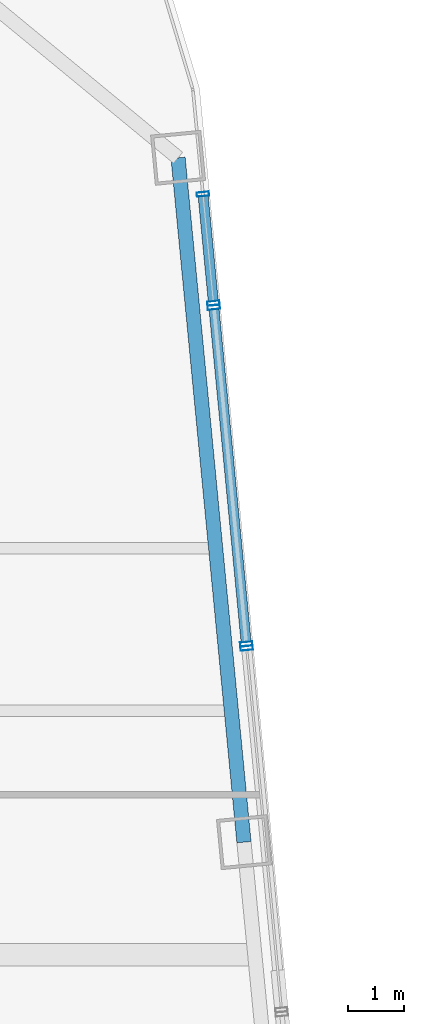
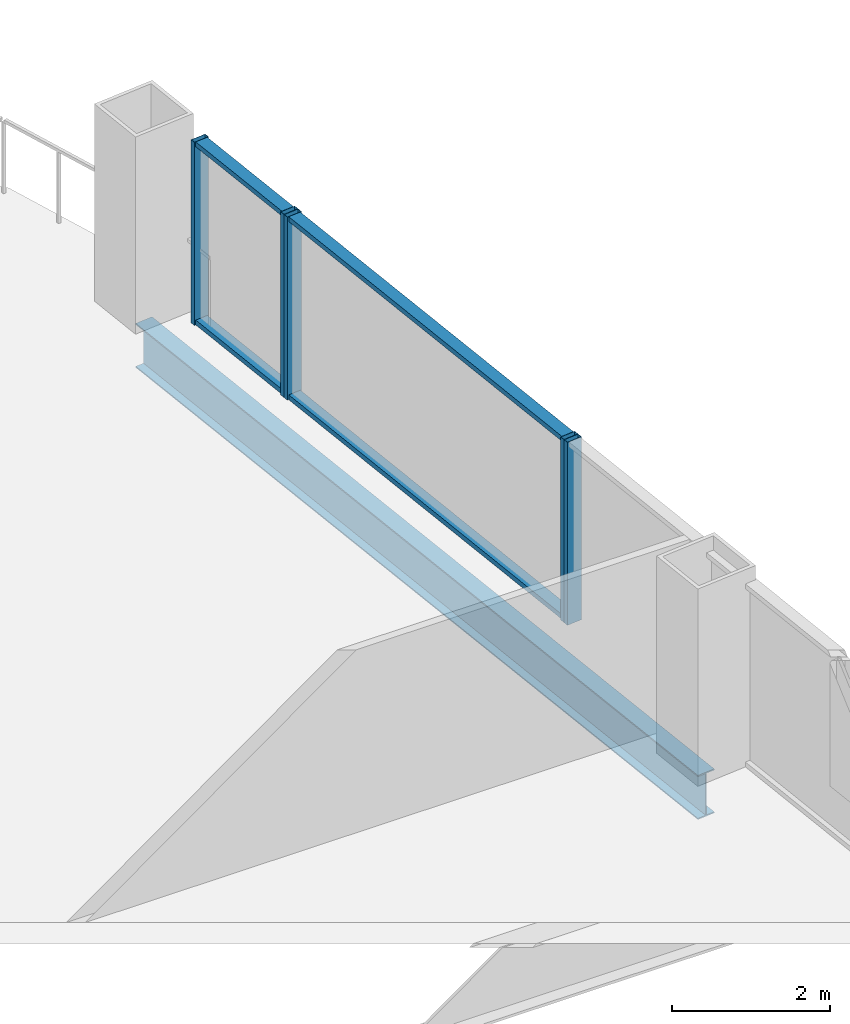
# One storey, part 20 of 28: 9 members, 1 beam, 3 elements without a shape of their own.
"""IFC4 building model written with IfcOpenShell, lengths in metres."""

from ifc_helpers import new_model, si_unit, direction, frame, origin, origin_2d, place, context, subcontext, project, spatial, hollow_rectangle, i_section, extrude, material, layer, layer_set, material_profile, profile_set, type_object, element, aggregate, save


model = new_model("IFC4")

# Units and contexts
model_context = context("Model", 3, precision=1e-05, world=origin(), true_north=direction((0.0, 1.0)))
body_context = subcontext(model_context, "Body", "Model", "MODEL_VIEW")
ifc_project = project(units=[si_unit("LENGTHUNIT", "METRE"), si_unit("AREAUNIT", "SQUARE_METRE"), si_unit("VOLUMEUNIT", "CUBIC_METRE"), si_unit("PLANEANGLEUNIT", "RADIAN"), si_unit("MASSUNIT", "GRAM", prefix="KILO")], contexts=[model_context])

# Site, building, storey
site_placement = place(None, origin())
site = spatial("IfcSite", under=ifc_project, at=site_placement, CompositionType="ELEMENT")
building_placement = place(site_placement, origin())
building = spatial("IfcBuilding", under=site, at=building_placement, Name="Qhalaya Broadcast Tower", CompositionType="ELEMENT")
storey_placement = place(building_placement, frame((0.0, 0.0, 90.800048828125)))
storey = spatial("IfcBuildingStorey", under=building, at=storey_placement, Name="L26", CompositionType="ELEMENT", Elevation=90.800048828125)

# Beam
ifc_material_1 = material(Name="Structural Steel ASTM A992 Grade 50", Category="steel")
ifc_material_profile_1 = material_profile(ifc_material_1, i_section(OverallWidth=0.25390625, OverallDepth=0.68310546875, WebThickness=0.012451171875, FlangeThickness=0.01904296875, at=origin_2d()), Name="W27X94")
ifc_profile_set_1 = profile_set([ifc_material_profile_1], Name="Structural Steel ASTM A992 Grade 50")
beam_type = type_object("IfcBeamType", Name="Perimeter Ring Spandrel Beam SP1", PredefinedType="SPANDREL", material=ifc_profile_set_1)
beam_placement = place(storey_placement, frame((26.941162109375, 11.955078125, -0.5615234375), z_axis=(-0.095851586307, 0.99539563662, 0.0), x_axis=(-0.99539563662, -0.095851586307, 0.0)))
element("IfcBeam", 1, at=beam_placement, inside=storey, type_object=beam_type, Name="L26 SP1 L26-SPR-07", PredefinedType="SPANDREL", context=body_context, shape_type="SweptSolid", body=[
    extrude(i_section(OverallWidth=0.25390625, OverallDepth=0.68310546875, WebThickness=0.012451171875, FlangeThickness=0.01904296875, at=origin_2d()), origin(), (0.0, 0.0, 1.0), 12.2666015625),
])

# Curtain wall, member
ifc_material_2 = material(Name="Solar-Control Low-E Triple Glazing", Category="glass")
ifc_layer_1 = layer(ifc_material_2, 0.219970703125, Name="Solar-Control Low-E Triple Glazing")
ifc_layer_set_1 = layer_set([ifc_layer_1], Name="Solar-Control Low-E Triple Glazing")
curtain_wall_type_1 = type_object("IfcCurtainWallType", Name="Even-Block 4-Storey Double-Module Curtain Wall CW-03", PredefinedType="NOTDEFINED", material=ifc_layer_set_1)
curtain_wall_1_placement = place(storey_placement, origin())
curtain_wall_1 = element("IfcCurtainWall", 2, at=curtain_wall_1_placement, inside=storey, type_object=curtain_wall_type_1, Name="L26 Unitised Curtain Wall L26-CW-E5", PredefinedType="NOTDEFINED")
ifc_material_3 = material(Name="Anodised Aluminium 6063-T6", Category="aluminium")
ifc_material_profile_2 = material_profile(ifc_material_3, hollow_rectangle(XDim=0.074951171875, YDim=0.219970703125, WallThickness=0.00390625, at=origin_2d()), Name="ALU-MUL 75x220x4")
ifc_profile_set_2 = profile_set([ifc_material_profile_2], Name="Anodised Aluminium 6063-T6")
member_type_1 = type_object("IfcMemberType", Name="Unitised Curtain-Wall Mullion M01", PredefinedType="MULLION", material=ifc_profile_set_2)
member_1_placement = place(storey_placement, frame((26.989501953125, 15.416748046875, 0.0), z_axis=(0.0, 0.0, 1.0), x_axis=(-0.095852453314, 0.995395553131, 0.0)))
member_1 = element("IfcMember", 3, at=member_1_placement, type_object=member_type_1, Name="CW-03 mullion 2", PredefinedType="MULLION", context=body_context, shape_type="SweptSolid", body=[
    extrude(hollow_rectangle(XDim=0.074951171875, YDim=0.219970703125, WallThickness=0.00390625, at=origin_2d()), origin(), (0.0, 0.0, 1.0), 2.829833984375),
])
aggregate(curtain_wall_1, [member_1])

# Curtain wall, members
ifc_material_4 = material(Name="Fired Architectural Terracotta", Category="masonry")
ifc_layer_2 = layer(ifc_material_4, 0.219970703125, Name="Fired Architectural Terracotta")
ifc_layer_set_2 = layer_set([ifc_layer_2], Name="Fired Architectural Terracotta")
curtain_wall_type_2 = type_object("IfcCurtainWallType", Name="Block-Cap Unitised Terracotta Spandrel Wall CW-07", PredefinedType="NOTDEFINED", material=ifc_layer_set_2)
curtain_wall_2_placement = place(storey_placement, origin())
curtain_wall_2 = element("IfcCurtainWall", 4, at=curtain_wall_2_placement, inside=storey, type_object=curtain_wall_type_2, Name="L26 Unitised Curtain Wall L26-CW-E6", PredefinedType="NOTDEFINED")
member_2_placement = place(storey_placement, frame((26.982421875, 15.4912109375, 0.0), z_axis=(0.0, 0.0, 1.0), x_axis=(-0.095841848125, 0.99539657431, 0.0)))
member_2 = element("IfcMember", 5, at=member_2_placement, type_object=member_type_1, Name="CW-07 mullion 1", PredefinedType="MULLION", context=body_context, shape_type="SweptSolid", body=[
    extrude(hollow_rectangle(XDim=0.074951171875, YDim=0.219970703125, WallThickness=0.00390625, at=origin_2d()), origin(), (0.0, 0.0, 1.0), 2.829833984375),
])
member_3_placement = place(storey_placement, frame((26.404052734375, 21.49755859375, 0.0), z_axis=(0.0, 0.0, 1.0), x_axis=(-0.095841848125, 0.99539657431, 0.0)))
member_3 = element("IfcMember", 6, at=member_3_placement, type_object=member_type_1, Name="CW-07 mullion 2", PredefinedType="MULLION", context=body_context, shape_type="SweptSolid", body=[
    extrude(hollow_rectangle(XDim=0.074951171875, YDim=0.219970703125, WallThickness=0.00390625, at=origin_2d()), origin(), (0.0, 0.0, 1.0), 2.829833984375),
])

curtain_wall_3_placement = place(storey_placement, origin())
curtain_wall_3 = element("IfcCurtainWall", 7, at=curtain_wall_3_placement, inside=storey, type_object=curtain_wall_type_1, Name="L26 Unitised Curtain Wall L26-CW-E7", PredefinedType="NOTDEFINED")
member_4_placement = place(storey_placement, frame((26.39697265625, 21.572265625, 0.0), z_axis=(0.0, 0.0, 1.0), x_axis=(-0.095857964978, 0.995395022366, 0.0)))
member_4 = element("IfcMember", 8, at=member_4_placement, type_object=member_type_1, Name="CW-03 mullion 1", PredefinedType="MULLION", context=body_context, shape_type="SweptSolid", body=[
    extrude(hollow_rectangle(XDim=0.074951171875, YDim=0.219970703125, WallThickness=0.00390625, at=origin_2d()), origin(), (0.0, 0.0, 1.0), 2.829833984375),
])
member_5_placement = place(storey_placement, frame((26.20947265625, 23.517333984375, 0.0), z_axis=(0.0, 0.0, 1.0), x_axis=(-0.095857964978, 0.995395022366, 0.0)))
member_5 = element("IfcMember", 9, at=member_5_placement, type_object=member_type_1, Name="CW-03 mullion 2", PredefinedType="MULLION", context=body_context, shape_type="SweptSolid", body=[
    extrude(hollow_rectangle(XDim=0.074951171875, YDim=0.219970703125, WallThickness=0.00390625, at=origin_2d()), origin(), (0.0, 0.0, 1.0), 2.829833984375),
])

# Member
ifc_material_profile_3 = material_profile(ifc_material_3, hollow_rectangle(XDim=0.074951171875, YDim=0.179931640625, WallThickness=0.00390625, at=origin_2d()), Name="ALU-TRN 75x180x4")
ifc_profile_set_3 = profile_set([ifc_material_profile_3], Name="Anodised Aluminium 6063-T6")
member_type_2 = type_object("IfcMemberType", Name="Unitised Curtain-Wall Transom T01", PredefinedType="USERDEFINED", material=ifc_profile_set_3)
member_6_placement = place(storey_placement, frame((26.978759765625, 15.528564453125, 0.037353515625), z_axis=(-0.095827943634, 0.995397913007, 0.0), x_axis=(0.0, 0.0, 1.0)))
member_6 = element("IfcMember", 10, at=member_6_placement, type_object=member_type_2, Name="CW-07 transom 1.1", ObjectType="TRANSOM", PredefinedType="USERDEFINED", context=body_context, shape_type="SweptSolid", body=[
    extrude(hollow_rectangle(XDim=0.074951171875, YDim=0.179931640625, WallThickness=0.00390625, at=origin_2d()), origin(), (0.0, 0.0, 1.0), 5.958984375),
])

member_7_placement = place(storey_placement, frame((26.978759765625, 15.528564453125, 2.79248046875), z_axis=(-0.095827943634, 0.995397913007, 0.0), x_axis=(0.0, 0.0, 1.0)))
member_7 = element("IfcMember", 11, at=member_7_placement, type_object=member_type_2, Name="CW-07 transom 1.2", ObjectType="TRANSOM", PredefinedType="USERDEFINED", context=body_context, shape_type="SweptSolid", body=[
    extrude(hollow_rectangle(XDim=0.074951171875, YDim=0.179931640625, WallThickness=0.00390625, at=origin_2d()), origin(), (0.0, 0.0, 1.0), 5.958984375),
])

aggregate(curtain_wall_2, [member_2, member_3, member_6, member_7])

member_8_placement = place(storey_placement, frame((26.393310546875, 21.609619140625, 0.037353515625), z_axis=(-0.095888184111, 0.995392111757, 0.0), x_axis=(0.0, 0.0, 1.0)))
member_8 = element("IfcMember", 12, at=member_8_placement, type_object=member_type_2, Name="CW-03 transom 1.1", ObjectType="TRANSOM", PredefinedType="USERDEFINED", context=body_context, shape_type="SweptSolid", body=[
    extrude(hollow_rectangle(XDim=0.074951171875, YDim=0.179931640625, WallThickness=0.00390625, at=origin_2d()), origin(), (0.0, 0.0, 1.0), 1.87890625),
])

member_9_placement = place(storey_placement, frame((26.393310546875, 21.609619140625, 2.79248046875), z_axis=(-0.095888184111, 0.995392111757, 0.0), x_axis=(0.0, 0.0, 1.0)))
member_9 = element("IfcMember", 13, at=member_9_placement, type_object=member_type_2, Name="CW-03 transom 1.2", ObjectType="TRANSOM", PredefinedType="USERDEFINED", context=body_context, shape_type="SweptSolid", body=[
    extrude(hollow_rectangle(XDim=0.074951171875, YDim=0.179931640625, WallThickness=0.00390625, at=origin_2d()), origin(), (0.0, 0.0, 1.0), 1.87890625),
])

aggregate(curtain_wall_3, [member_4, member_5, member_8, member_9])

save(model, "model.ifc")
